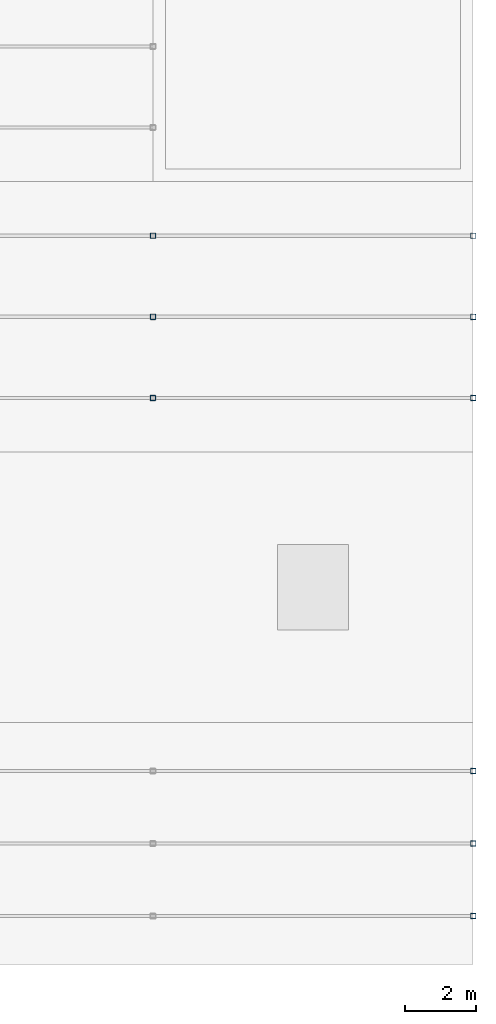
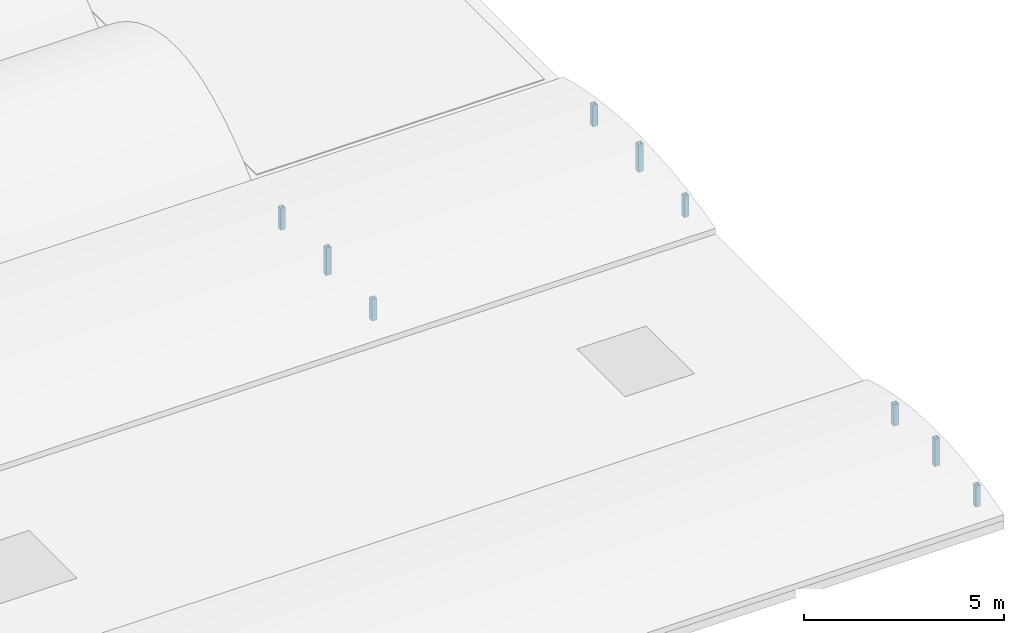
# One storey, part 31 of 46: 9 members.
"""IFC4 building model written with IfcOpenShell, lengths in metres."""

import ifcopenshell
import ifcopenshell.guid

model = None  # the IFC model being written
_history = None  # IfcOwnerHistory: only IFC2X3 demands one
_inside = {}  # id of a spatial element -> (the spatial element, [elements in it])
_under = {}  # id of a project, library or spatial element -> (it, [spatial elements below it])
_declared = {}  # id of a project -> (the project, [libraries it declares])
_typed = {}  # id of a type object -> (the type object, [elements of that type])
_made_of = {}  # id of a material, layer set ... -> (it, [elements and type objects made of it])


def new_model(schema):
    """Start an empty IFC model of exactly this schema.

    Asked for "IFC4X3", IfcOpenShell would pick the latest addendum, in which some entities
    have other attributes; the version numbers below select the first issue.
    IFC2X3 requires an IfcOwnerHistory on every rooted entity: one is made here for all.
    """
    global model, _history
    if schema == "IFC4X3":
        model = ifcopenshell.file(schema_version=(4, 3, 0, 0))
    else:
        model = ifcopenshell.file(schema=schema)
    _inside.clear()
    _under.clear()
    _declared.clear()
    _typed.clear()
    _made_of.clear()
    _history = None
    if model.schema == "IFC2X3":
        org = make("IfcOrganization", Name="unknown")
        user = make(
            "IfcPersonAndOrganization",
            ThePerson=make("IfcPerson", FamilyName="unknown"),
            TheOrganization=org,
        )
        app = make(
            "IfcApplication",
            ApplicationDeveloper=org,
            Version="unknown",
            ApplicationFullName="unknown",
            ApplicationIdentifier="unknown",
        )
        _history = make(
            "IfcOwnerHistory",
            OwningUser=user,
            OwningApplication=app,
            ChangeAction="ADDED",
            CreationDate=0,
        )
    return model


def make(cls, **values):
    """One entity of the class cls with the attributes given. An attribute that is None is left unset."""
    return model.create_entity(
        cls, **{name: value for name, value in values.items() if value is not None}
    )


def rooted(cls, **values):
    """An entity with a GlobalId (a new one), such as an element, a storey or a relation."""
    return make(cls, GlobalId=ifcopenshell.guid.new(), OwnerHistory=_history, **values)


def si_unit(unit_type, name, prefix=None):
    """IfcSIUnit, for example si_unit("LENGTHUNIT", "METRE", prefix="MILLI")."""
    return make("IfcSIUnit", UnitType=unit_type, Prefix=prefix, Name=name)


def assignment(units):
    """IfcUnitAssignment: the units of a project."""
    return None if units is None else make("IfcUnitAssignment", Units=units)


def point(xyz):
    """IfcCartesianPoint."""
    return None if xyz is None else make("IfcCartesianPoint", Coordinates=xyz)


def direction(xyz):
    """IfcDirection."""
    return None if xyz is None else make("IfcDirection", DirectionRatios=xyz)


def frame(location, z_axis=None, x_axis=None):
    """IfcAxis2Placement3D, a coordinate frame: its origin and axes. An axis left out is left unset."""
    return make(
        "IfcAxis2Placement3D",
        Location=point(location),
        Axis=direction(z_axis),
        RefDirection=direction(x_axis),
    )


def frame_2d(location, x_axis=None):
    """IfcAxis2Placement2D, a coordinate frame in the plane: its origin and x axis."""
    return make(
        "IfcAxis2Placement2D", Location=point(location), RefDirection=direction(x_axis)
    )


def origin():
    """The frame at (0, 0, 0) with its axes left unset."""
    return frame((0.0, 0.0, 0.0))


def origin_2d():
    """The frame at (0, 0) in the plane with its x axis left unset."""
    return frame_2d((0.0, 0.0))


def place(relative_to, where):
    """IfcLocalPlacement: puts the frame where relative to a parent placement (None: the world)."""
    return make(
        "IfcLocalPlacement", PlacementRelTo=relative_to, RelativePlacement=where
    )


def context(
    kind, dimensions, precision=None, world=None, true_north=None, identifier=None
):
    """IfcGeometricRepresentationContext, for example the 3D "Model" context."""
    return make(
        "IfcGeometricRepresentationContext",
        ContextIdentifier=identifier,
        ContextType=kind,
        CoordinateSpaceDimension=dimensions,
        Precision=precision,
        WorldCoordinateSystem=world,
        TrueNorth=true_north,
    )


def subcontext(parent, identifier, kind, view, scale=None):
    """IfcGeometricRepresentationSubContext, for example "Body" below "Model"."""
    return make(
        "IfcGeometricRepresentationSubContext",
        ContextIdentifier=identifier,
        ContextType=kind,
        ParentContext=parent,
        TargetScale=scale,
        TargetView=view,
    )


def project(units=None, contexts=None):
    """IfcProject with its units and contexts."""
    return rooted(
        "IfcProject",
        Name="project",
        RepresentationContexts=contexts,
        UnitsInContext=assignment(units),
    )


def spatial(cls, under=None, at=None, **own):
    """A site, building, storey or space (cls), placed at a placement, below another one or the project."""
    s = rooted(cls, ObjectPlacement=at, **own)
    if under is not None:
        _under.setdefault(under.id(), (under, []))[1].append(s)
    return s


def profile(cls, at=None, kind="AREA", **sizes):
    """A parametric profile (cls). Its sizes go by their IFC names, for example OverallWidth=200.0."""
    return make(cls, ProfileType=kind, Position=at, **sizes)


def hollow_rectangle(**sizes):
    """IfcRectangleHollowProfileDef."""
    return profile("IfcRectangleHollowProfileDef", **sizes)


def extrude(swept, where, along, depth):
    """IfcExtrudedAreaSolid: the profile swept, set in the frame where, extruded along a direction by depth."""
    return make(
        "IfcExtrudedAreaSolid",
        SweptArea=swept,
        Position=where,
        ExtrudedDirection=direction(along),
        Depth=depth,
    )


def shape(context_of_items, identifier, shape_type, items):
    """IfcShapeRepresentation: the items that make up one representation, for example the "Body"."""
    return make(
        "IfcShapeRepresentation",
        ContextOfItems=context_of_items,
        RepresentationIdentifier=identifier,
        RepresentationType=shape_type,
        Items=items,
    )


def material(Name=None, Category=None):
    """IfcMaterial."""
    return make("IfcMaterial", Name=Name, Category=Category)


def material_profile(
    of_material, cross_section, Name=None, Category=None, Priority=None
):
    """IfcMaterialProfile: a cross section and its material."""
    return make(
        "IfcMaterialProfile",
        Name=Name,
        Material=of_material,
        Profile=cross_section,
        Priority=Priority,
        Category=Category,
    )


def profile_set(profiles, Name=None, composite=None):
    """IfcMaterialProfileSet."""
    return make(
        "IfcMaterialProfileSet",
        Name=Name,
        MaterialProfiles=profiles,
        CompositeProfile=composite,
    )


def made_of(thing, what):
    """Note that an element or type object is made of a material, layer set ...; save() writes the relation."""
    if what is not None:
        _made_of.setdefault(what.id(), (what, []))[1].append(thing)
    return thing


def type_object(cls, material=None, **own):
    """A type object (cls), such as IfcWallType, which elements share."""
    return made_of(rooted(cls, **own), material)


def element(
    cls,
    number,
    at=None,
    inside=None,
    cuts=None,
    type_object=None,
    material=None,
    context=None,
    identifier="Body",
    shape_type=None,
    held_by="IfcProductDefinitionShape",
    body=None,
    shapes=None,
    **own,
):
    """One element of the class cls, such as IfcWall. Its Tag is "e" and its number.

    at: its placement. inside: the storey or other place that contains it. cuts: it is an
    opening in that element (IfcRelVoidsElement). A single representation is given by context,
    identifier, shape_type and body (its items); several are given by shapes. held_by: the class
    of the entity that holds the representations. save() writes the other relations.
    """
    e = rooted(cls, Tag="e%d" % number, ObjectPlacement=at, **own)
    if body is not None:
        shapes = [shape(context, identifier, shape_type, body)]
    if shapes is not None:
        e.Representation = make(held_by, Representations=shapes)
    if inside is not None:
        _inside.setdefault(inside.id(), (inside, []))[1].append(e)
    if cuts is not None:
        rooted(
            "IfcRelVoidsElement", RelatingBuildingElement=cuts, RelatedOpeningElement=e
        )
    if type_object is not None:
        _typed.setdefault(type_object.id(), (type_object, []))[1].append(e)
    return made_of(e, material)


def aggregate(whole, parts):
    """IfcRelAggregates: a whole, such as a stair, and the parts it consists of."""
    return rooted("IfcRelAggregates", RelatingObject=whole, RelatedObjects=parts)


def save(model, path):
    """Write the relations noted so far, then the file.

    IfcRelAggregates (storeys below a building ...), IfcRelContainedInSpatialStructure (elements
    in a storey), IfcRelDefinesByType, IfcRelAssociatesMaterial and IfcRelDeclares: one each for
    every whole, place, type object, material and project.
    """
    for whole, parts in _under.values():
        aggregate(whole, parts)
    for where, things in _inside.values():
        rooted(
            "IfcRelContainedInSpatialStructure",
            RelatedElements=things,
            RelatingStructure=where,
        )
    for kind, things in _typed.values():
        rooted("IfcRelDefinesByType", RelatedObjects=things, RelatingType=kind)
    for what, things in _made_of.values():
        rooted("IfcRelAssociatesMaterial", RelatedObjects=things, RelatingMaterial=what)
    for by, libraries in _declared.values():
        rooted("IfcRelDeclares", RelatingContext=by, RelatedDefinitions=libraries)
    model.write(path)


model = new_model("IFC4")

# Units and contexts
model_context = context("Model", 3, precision=1e-05, world=origin(), true_north=direction((0.0, 1.0)))
body_context = subcontext(model_context, "Body", "Model", "MODEL_VIEW")
ifc_project = project(units=[si_unit("LENGTHUNIT", "METRE"), si_unit("AREAUNIT", "SQUARE_METRE"), si_unit("VOLUMEUNIT", "CUBIC_METRE"), si_unit("PLANEANGLEUNIT", "RADIAN"), si_unit("MASSUNIT", "GRAM", prefix="KILO")], contexts=[model_context])

# Site, building, storey
site_placement = place(None, origin())
site = spatial("IfcSite", under=ifc_project, at=site_placement, CompositionType="ELEMENT")
building_placement = place(site_placement, origin())
building = spatial("IfcBuilding", under=site, at=building_placement, Name="Shalkamar Park Central Library", CompositionType="ELEMENT")
storey_placement = place(building_placement, frame((0.0, 0.0, 20.39990234375)))
storey = spatial("IfcBuildingStorey", under=building, at=storey_placement, Name="L05", CompositionType="ELEMENT", Elevation=20.39990234375)

# Members
ifc_material = material(Name="Steel S355", Category="steel")
ifc_material_profile = material_profile(ifc_material, hollow_rectangle(XDim=0.14990234375, YDim=0.14990234375, WallThickness=0.008056640625, InnerFilletRadius=0.008056640625, OuterFilletRadius=0.011962890625, at=origin_2d()), Name="SHS 150x150x8")
ifc_profile_set = profile_set([ifc_material_profile], Name="Steel S355")
member_type = type_object("IfcMemberType", Name="Diagonal Brace SHS150", PredefinedType="BRACE", material=ifc_profile_set)
member_1_placement = place(storey_placement, frame((264.0, 249.760009765625, -0.35986328125), z_axis=(0.0, 0.0, 1.0), x_axis=(1.0, 0.0, 0.0)))
element("IfcMember", 1, at=member_1_placement, inside=storey, type_object=member_type, Name="Vault Arch Post BV-L04-S1-19.1", PredefinedType="BRACE", context=body_context, shape_type="SweptSolid", body=[
    extrude(hollow_rectangle(XDim=0.14990234375, YDim=0.14990234375, WallThickness=0.008056640625, InnerFilletRadius=0.008056640625, OuterFilletRadius=0.011962890625, at=origin_2d()), origin(), (0.0, 0.0, 1.0), 0.65283203125),
])
member_2_placement = place(storey_placement, frame((264.0, 251.800048828125, -0.35986328125), z_axis=(0.0, 0.0, 1.0), x_axis=(1.0, 0.0, 0.0)))
element("IfcMember", 2, at=member_2_placement, inside=storey, type_object=member_type, Name="Vault Arch Post BV-L04-S1-19.2", PredefinedType="BRACE", context=body_context, shape_type="SweptSolid", body=[
    extrude(hollow_rectangle(XDim=0.14990234375, YDim=0.14990234375, WallThickness=0.008056640625, InnerFilletRadius=0.008056640625, OuterFilletRadius=0.011962890625, at=origin_2d()), origin(), (0.0, 0.0, 1.0), 0.83984375),
])
for number, where, z_axis, x_axis, name in (
    (3, (264.0, 253.840087890625, -0.35986328125), (0.0, 0.0, 1.0), (1.0, 0.0, 0.0), "Vault Arch Post BV-L04-S1-19.3"),
    (4, (255.0, 264.320068359375, -0.35986328125), (0.0, 0.0, 1.0), (1.0, 0.0, 0.0), "Vault Arch Post BV-L04-S2-18.1"),
):
    element("IfcMember", number, at=place(storey_placement, frame(where, z_axis=z_axis, x_axis=x_axis)), inside=storey, type_object=member_type, Name=name, PredefinedType="BRACE", context=body_context, shape_type="SweptSolid", body=[
        extrude(hollow_rectangle(XDim=0.14990234375, YDim=0.14990234375, WallThickness=0.008056640625, InnerFilletRadius=0.008056640625, OuterFilletRadius=0.011962890625, at=origin_2d()), origin(), (0.0, 0.0, 1.0), 0.65283203125),
    ])
member_3_placement = place(storey_placement, frame((255.0, 266.60009765625, -0.35986328125), z_axis=(0.0, 0.0, 1.0), x_axis=(1.0, 0.0, 0.0)))
element("IfcMember", 5, at=member_3_placement, inside=storey, type_object=member_type, Name="Vault Arch Post BV-L04-S2-18.2", PredefinedType="BRACE", context=body_context, shape_type="SweptSolid", body=[
    extrude(hollow_rectangle(XDim=0.14990234375, YDim=0.14990234375, WallThickness=0.008056640625, InnerFilletRadius=0.008056640625, OuterFilletRadius=0.011962890625, at=origin_2d()), origin(), (0.0, 0.0, 1.0), 0.83984375),
])
for number, where, z_axis, x_axis, name in (
    (6, (255.0, 268.8798828125, -0.35986328125), (0.0, 0.0, 1.0), (1.0, 0.0, 0.0), "Vault Arch Post BV-L04-S2-18.3"),
    (7, (264.0, 264.320068359375, -0.35986328125), (0.0, 0.0, 1.0), (1.0, 0.0, 0.0), "Vault Arch Post BV-L04-S2-19.1"),
):
    element("IfcMember", number, at=place(storey_placement, frame(where, z_axis=z_axis, x_axis=x_axis)), inside=storey, type_object=member_type, Name=name, PredefinedType="BRACE", context=body_context, shape_type="SweptSolid", body=[
        extrude(hollow_rectangle(XDim=0.14990234375, YDim=0.14990234375, WallThickness=0.008056640625, InnerFilletRadius=0.008056640625, OuterFilletRadius=0.011962890625, at=origin_2d()), origin(), (0.0, 0.0, 1.0), 0.65283203125),
    ])
member_4_placement = place(storey_placement, frame((264.0, 266.60009765625, -0.35986328125), z_axis=(0.0, 0.0, 1.0), x_axis=(1.0, 0.0, 0.0)))
element("IfcMember", 8, at=member_4_placement, inside=storey, type_object=member_type, Name="Vault Arch Post BV-L04-S2-19.2", PredefinedType="BRACE", context=body_context, shape_type="SweptSolid", body=[
    extrude(hollow_rectangle(XDim=0.14990234375, YDim=0.14990234375, WallThickness=0.008056640625, InnerFilletRadius=0.008056640625, OuterFilletRadius=0.011962890625, at=origin_2d()), origin(), (0.0, 0.0, 1.0), 0.83984375),
])
member_5_placement = place(storey_placement, frame((264.0, 268.8798828125, -0.35986328125), z_axis=(0.0, 0.0, 1.0), x_axis=(1.0, 0.0, 0.0)))
element("IfcMember", 9, at=member_5_placement, inside=storey, type_object=member_type, Name="Vault Arch Post BV-L04-S2-19.3", PredefinedType="BRACE", context=body_context, shape_type="SweptSolid", body=[
    extrude(hollow_rectangle(XDim=0.14990234375, YDim=0.14990234375, WallThickness=0.008056640625, InnerFilletRadius=0.008056640625, OuterFilletRadius=0.011962890625, at=origin_2d()), origin(), (0.0, 0.0, 1.0), 0.65283203125),
])

save(model, "model.ifc")
